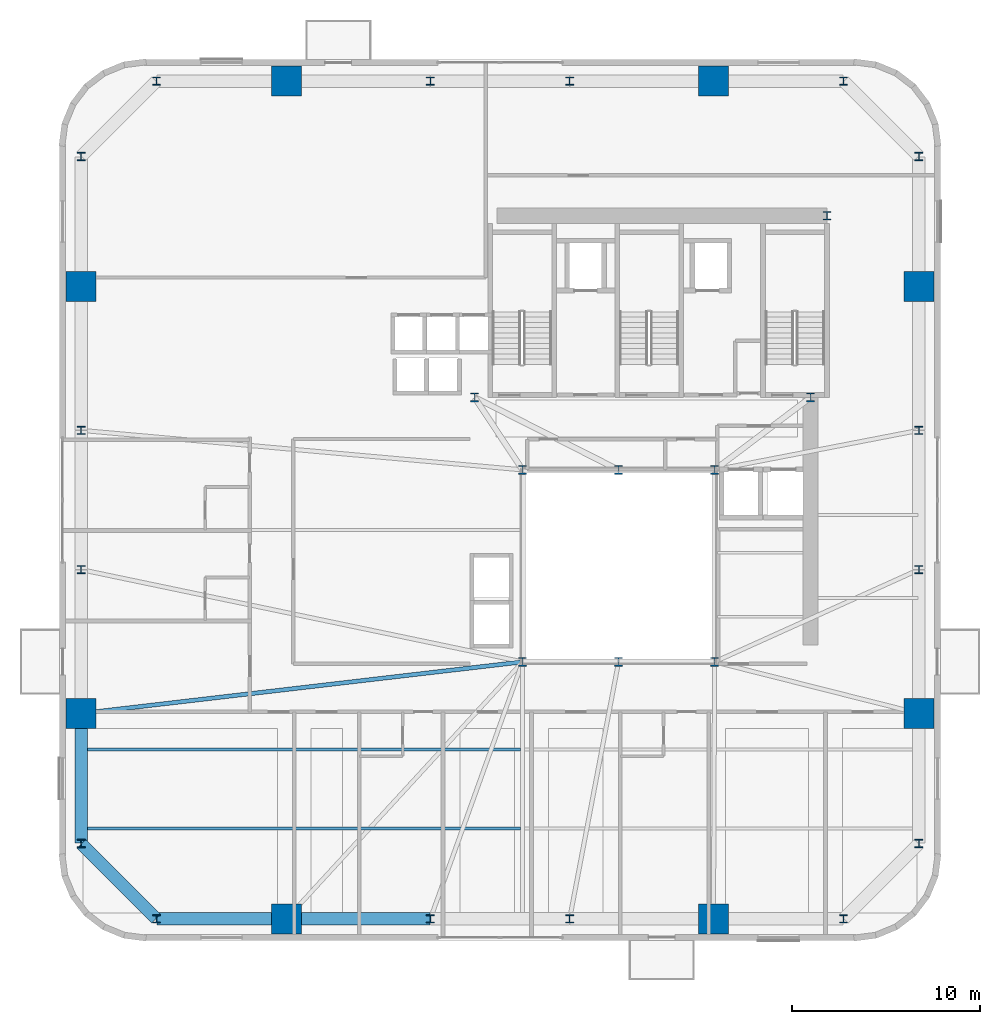
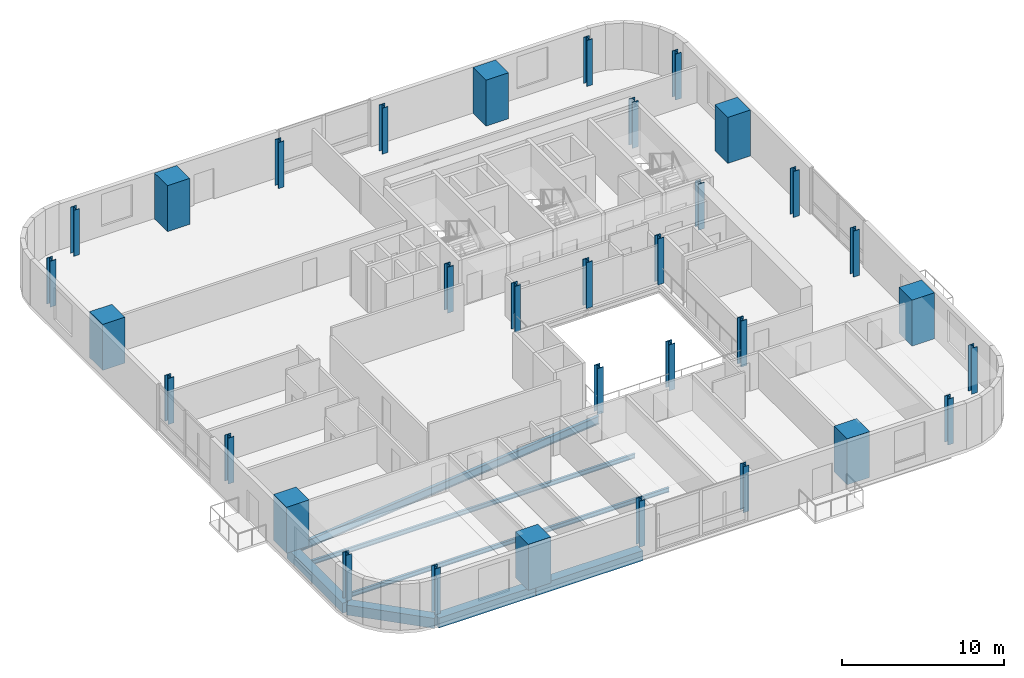
# One storey, part 1 of 14: 33 columns, 7 beams.
"""IFC4 building model written with IfcOpenShell, lengths in metres."""

from ifc_helpers import new_model, si_unit, direction, frame, origin, origin_2d, place, context, subcontext, project, spatial, rectangle, i_section, extrude, source, transform, mapped, material, material_profile, profile_set, type_object, element, save


model = new_model("IFC4")

# Units and contexts
model_context = context("Model", 3, precision=1e-05, world=origin(), true_north=direction((0.0, 1.0)))
body_context = subcontext(model_context, "Body", "Model", "MODEL_VIEW")
ifc_project = project(units=[si_unit("LENGTHUNIT", "METRE"), si_unit("AREAUNIT", "SQUARE_METRE"), si_unit("VOLUMEUNIT", "CUBIC_METRE"), si_unit("PLANEANGLEUNIT", "RADIAN"), si_unit("MASSUNIT", "GRAM", prefix="KILO")], contexts=[model_context])

# Site, building, storey
site_placement = place(None, origin())
site = spatial("IfcSite", under=ifc_project, at=site_placement, CompositionType="ELEMENT")
building_placement = place(site_placement, origin())
building = spatial("IfcBuilding", under=site, at=building_placement, Name="Vardaveli Station Tower", CompositionType="ELEMENT")
storey_placement = place(building_placement, frame((0.0, 0.0, 152.0)))
storey = spatial("IfcBuildingStorey", under=building, at=storey_placement, Name="L39", CompositionType="ELEMENT", Elevation=152.0)

# Columns
ifc_material_1 = material(Name="Structural steel S460M", Category="steel")
ifc_material_profile_1 = material_profile(ifc_material_1, i_section(OverallWidth=0.424072265625, OverallDepth=0.465087890625, WebThickness=0.034912109375, FlangeThickness=0.055908203125, FilletRadius=0.014892578125, at=origin_2d()), Name="HD 400x592")
ifc_profile_set_1 = profile_set([ifc_material_profile_1], Name="Structural steel S460M")
column_type_1 = type_object("IfcColumnType", Name="COL-HD592", PredefinedType="COLUMN", material=ifc_profile_set_1)
shared_shape_1 = source(origin(), body_context, "Body", "SweptSolid", [
    extrude(i_section(OverallWidth=0.424072265625, OverallDepth=0.465087890625, WebThickness=0.034912109375, FlangeThickness=0.055908203125, FilletRadius=0.014892578125, at=origin_2d()), origin(), (0.0, 0.0, 1.0), 3.4599609375),
])
for number, where, z_axis, x_axis, name in (
    (1, (31.199951171875, 16.60009765625, 0.0), (0.0, 0.0, 1.0), (1.0, 0.0, 0.0), "COL-L39-AC1"),
    (2, (36.300048828125, 16.60009765625, 0.0), (0.0, 0.0, 1.0), (1.0, 0.0, 0.0), "COL-L39-AC2"),
    (3, (41.39990234375, 16.60009765625, 0.0), (0.0, 0.0, 1.0), (1.0, 0.0, 0.0), "COL-L39-AC3"),
    (4, (41.39990234375, 26.800048828125, 0.0), (0.0, 0.0, 1.0), (1.0, 0.0, 0.0), "COL-L39-AC4"),
    (5, (36.300048828125, 26.800048828125, 0.0), (0.0, 0.0, 1.0), (1.0, 0.0, 0.0), "COL-L39-AC5"),
    (6, (31.199951171875, 26.800048828125, 0.0), (0.0, 0.0, 1.0), (1.0, 0.0, 0.0), "COL-L39-AC6"),
    (7, (28.64990234375, 30.64990234375, 0.0), (0.0, 0.0, 1.0), (1.0, 0.0, 0.0), "COL-L39-CC1"),
    (8, (46.5, 30.64990234375, 0.0), (0.0, 0.0, 1.0), (1.0, 0.0, 0.0), "COL-L39-CC2"),
    (9, (47.3701171875, 40.300048828125, 0.0), (0.0, 0.0, 1.0), (1.0, 0.0, 0.0), "COL-L39-CC3"),
):
    element("IfcColumn", number, at=place(storey_placement, frame(where, z_axis=z_axis, x_axis=x_axis)), inside=storey, type_object=column_type_1, Name=name, PredefinedType="COLUMN", context=body_context, shape_type="MappedRepresentation", body=[
        mapped(shared_shape_1, transform((0.0, 0.0, 0.0), scale=1.0)),
    ])
ifc_material_2 = material(Name="Concrete C60/75", Category="concrete")
ifc_material_profile_2 = material_profile(ifc_material_2, rectangle(XDim=1.60009765625, YDim=1.60009765625, at=origin_2d()), Name="MC 1600x1600")
ifc_profile_set_2 = profile_set([ifc_material_profile_2], Name="Concrete C60/75")
column_type_2 = type_object("IfcColumnType", Name="COL-MC-1600", PredefinedType="COLUMN", material=ifc_profile_set_2)
shared_shape_2 = source(origin(), body_context, "Body", "SweptSolid", [
    extrude(rectangle(XDim=1.60009765625, YDim=1.60009765625, at=origin_2d()), origin(), (0.0, 0.0, 1.0), 3.4599609375),
])
for number, where, z_axis, x_axis, name in (
    (10, (18.659912109375, 2.949951171875, 0.0), (0.0, 0.0, 1.0), (1.0, 0.0, 0.0), "COL-L39-MC1"),
    (11, (41.340087890625, 2.949951171875, 0.0), (0.0, 0.0, 1.0), (1.0, 0.0, 0.0), "COL-L39-MC2"),
    (12, (52.25, 13.860107421875, 0.0), (0.0, 0.0, 1.0), (1.0, 0.0, 0.0), "COL-L39-MC3"),
    (13, (52.25, 36.5400390625, 0.0), (0.0, 0.0, 1.0), (1.0, 0.0, 0.0), "COL-L39-MC4"),
    (14, (41.340087890625, 47.449951171875, 0.0), (0.0, 0.0, 1.0), (1.0, 0.0, 0.0), "COL-L39-MC5"),
    (15, (18.659912109375, 47.449951171875, 0.0), (0.0, 0.0, 1.0), (1.0, 0.0, 0.0), "COL-L39-MC6"),
    (16, (7.75, 36.5400390625, 0.0), (0.0, 0.0, 1.0), (1.0, 0.0, 0.0), "COL-L39-MC7"),
    (17, (7.75, 13.860107421875, 0.0), (0.0, 0.0, 1.0), (1.0, 0.0, 0.0), "COL-L39-MC8"),
):
    element("IfcColumn", number, at=place(storey_placement, frame(where, z_axis=z_axis, x_axis=x_axis)), inside=storey, type_object=column_type_2, Name=name, PredefinedType="COLUMN", context=body_context, shape_type="MappedRepresentation", body=[
        mapped(shared_shape_2, transform((0.0, 0.0, 0.0), scale=1.0)),
    ])
ifc_material_profile_3 = material_profile(ifc_material_1, i_section(OverallWidth=0.4140625, OverallDepth=0.431884765625, WebThickness=0.025634765625, FlangeThickness=0.0400390625, FilletRadius=0.014892578125, at=origin_2d()), Name="HD 400x421")
ifc_profile_set_3 = profile_set([ifc_material_profile_3], Name="Structural steel S460M")
column_type_3 = type_object("IfcColumnType", Name="COL-HD421", PredefinedType="COLUMN", material=ifc_profile_set_3)
shared_shape_3 = source(origin(), body_context, "Body", "SweptSolid", [
    extrude(i_section(OverallWidth=0.4140625, OverallDepth=0.431884765625, WebThickness=0.025634765625, FlangeThickness=0.0400390625, FilletRadius=0.014892578125, at=origin_2d()), origin(), (0.0, 0.0, 1.0), 3.4599609375),
])
for number, where, z_axis, x_axis, name in (
    (18, (11.75, 2.949951171875, 0.0), (0.0, 0.0, 1.0), (1.0, 0.0, 0.0), "COL-L39-PC01"),
    (19, (26.300048828125, 2.949951171875, 0.0), (0.0, 0.0, 1.0), (1.0, 0.0, 0.0), "COL-L39-PC02"),
    (20, (33.699951171875, 2.949951171875, 0.0), (0.0, 0.0, 1.0), (1.0, 0.0, 0.0), "COL-L39-PC03"),
    (21, (48.25, 2.949951171875, 0.0), (0.0, 0.0, 1.0), (1.0, 0.0, 0.0), "COL-L39-PC04"),
    (22, (52.25, 6.949951171875, 0.0), (0.0, 0.0, 1.0), (1.0, 0.0, 0.0), "COL-L39-PC05"),
    (23, (52.25, 21.5, 0.0), (0.0, 0.0, 1.0), (1.0, 0.0, 0.0), "COL-L39-PC06"),
    (24, (52.25, 28.89990234375, 0.0), (0.0, 0.0, 1.0), (1.0, 0.0, 0.0), "COL-L39-PC07"),
    (25, (52.25, 43.449951171875, 0.0), (0.0, 0.0, 1.0), (1.0, 0.0, 0.0), "COL-L39-PC08"),
    (26, (48.25, 47.449951171875, 0.0), (0.0, 0.0, 1.0), (1.0, 0.0, 0.0), "COL-L39-PC09"),
    (27, (33.699951171875, 47.449951171875, 0.0), (0.0, 0.0, 1.0), (1.0, 0.0, 0.0), "COL-L39-PC10"),
    (28, (26.300048828125, 47.449951171875, 0.0), (0.0, 0.0, 1.0), (1.0, 0.0, 0.0), "COL-L39-PC11"),
    (29, (11.75, 47.449951171875, 0.0), (0.0, 0.0, 1.0), (1.0, 0.0, 0.0), "COL-L39-PC12"),
    (30, (7.75, 43.449951171875, 0.0), (0.0, 0.0, 1.0), (1.0, 0.0, 0.0), "COL-L39-PC13"),
    (31, (7.75, 28.89990234375, 0.0), (0.0, 0.0, 1.0), (1.0, 0.0, 0.0), "COL-L39-PC14"),
    (32, (7.75, 21.5, 0.0), (0.0, 0.0, 1.0), (1.0, 0.0, 0.0), "COL-L39-PC15"),
    (33, (7.75, 6.949951171875, 0.0), (0.0, 0.0, 1.0), (1.0, 0.0, 0.0), "COL-L39-PC16"),
):
    element("IfcColumn", number, at=place(storey_placement, frame(where, z_axis=z_axis, x_axis=x_axis)), inside=storey, type_object=column_type_3, Name=name, PredefinedType="COLUMN", context=body_context, shape_type="MappedRepresentation", body=[
        mapped(shared_shape_3, transform((0.0, 0.0, 0.0), scale=1.0)),
    ])

# Beams
ifc_material_3 = material(Name="Precast concrete C45/55", Category="concrete")
ifc_material_profile_4 = material_profile(ifc_material_3, rectangle(XDim=0.64990234375, YDim=0.75, at=origin_2d()), Name="LPB 650x750")
ifc_profile_set_4 = profile_set([ifc_material_profile_4], Name="Precast concrete C45/55")
beam_type_1 = type_object("IfcBeamType", Name="BM-LPB-750", PredefinedType="BEAM", material=ifc_profile_set_4)
shared_shape_4 = source(origin(), body_context, "Body", "SweptSolid", [
    extrude(rectangle(XDim=0.64990234375, YDim=0.75, at=origin_2d()), origin(), (0.0, 0.0, 1.0), 7.60009765625),
])
beam_1_placement = place(storey_placement, frame((18.679931640625, 2.949951171875, -0.614990234375), z_axis=(1.0, 0.0, 0.0), x_axis=(0.0, 1.0, 0.0)))
element("IfcBeam", 34, at=beam_1_placement, inside=storey, type_object=beam_type_1, Name="RBM-L39-01", PredefinedType="BEAM", context=body_context, shape_type="MappedRepresentation", body=[
    mapped(shared_shape_4, transform((0.0, 0.0, 0.0), scale=1.0)),
])
shared_shape_5 = source(origin(), body_context, "Body", "SweptSolid", [
    extrude(rectangle(XDim=0.64990234375, YDim=0.75, at=origin_2d()), origin(), (0.0, 0.0, 1.0), 6.869873046875),
])
beam_2_placement = place(storey_placement, frame((11.77001953125, 2.949951171875, -0.614990234375), z_axis=(1.0, 0.0, 0.0), x_axis=(0.0, 1.0, 0.0)))
element("IfcBeam", 35, at=beam_2_placement, inside=storey, type_object=beam_type_1, Name="RBM-L39-24", PredefinedType="BEAM", context=body_context, shape_type="MappedRepresentation", body=[
    mapped(shared_shape_5, transform((0.0, 0.0, 0.0), scale=1.0)),
])
shared_shape_6 = source(origin(), body_context, "Body", "SweptSolid", [
    extrude(rectangle(XDim=0.64990234375, YDim=0.75, at=origin_2d()), origin(), (0.0, 0.0, 1.0), 5.61669921875),
])
beam_3_placement = place(storey_placement, frame((7.76416015625, 6.935791015625, -0.614990234375), z_axis=(0.707106781187, -0.707106781187, 0.0), x_axis=(0.707106781187, 0.707106781187, 0.0)))
element("IfcBeam", 36, at=beam_3_placement, inside=storey, type_object=beam_type_1, Name="RBM-L39-23", PredefinedType="BEAM", context=body_context, shape_type="MappedRepresentation", body=[
    mapped(shared_shape_6, transform((0.0, 0.0, 0.0), scale=1.0)),
])
shared_shape_7 = source(origin(), body_context, "Body", "SweptSolid", [
    extrude(rectangle(XDim=0.64990234375, YDim=0.75, at=origin_2d()), origin(), (0.0, 0.0, 1.0), 6.8701171875),
])
beam_4_placement = place(storey_placement, frame((7.75, 13.840087890625, -0.614990234375), z_axis=(0.0, -1.0, 0.0), x_axis=(1.0, 0.0, 0.0)))
element("IfcBeam", 37, at=beam_4_placement, inside=storey, type_object=beam_type_1, Name="RBM-L39-22", PredefinedType="BEAM", context=body_context, shape_type="MappedRepresentation", body=[
    mapped(shared_shape_7, transform((0.0, 0.0, 0.0), scale=1.0)),
])
ifc_material_4 = material(Name="Structural steel S355J2", Category="steel")
ifc_material_profile_5 = material_profile(ifc_material_4, i_section(OverallWidth=0.159912109375, OverallDepth=0.330078125, WebThickness=0.007568359375, FlangeThickness=0.011474609375, FilletRadius=0.01806640625, at=origin_2d()), Name="IPE 330")
ifc_profile_set_5 = profile_set([ifc_material_profile_5], Name="Structural steel S355J2")
beam_type_2 = type_object("IfcBeamType", Name="BM-IPE330", PredefinedType="JOIST", material=ifc_profile_set_5)
shared_shape_8 = source(origin(), body_context, "Body", "SweptSolid", [
    extrude(i_section(OverallWidth=0.159912109375, OverallDepth=0.330078125, WebThickness=0.007568359375, FlangeThickness=0.011474609375, FilletRadius=0.01806640625, at=origin_2d()), origin(), (0.0, 0.0, 1.0), 23.2978515625),
])
for number, where, z_axis, x_axis, name in (
    (38, (7.7900390625, 7.75, -0.405029296875), (1.0, 0.0, 0.0), (0.0, 1.0, 0.0), "SJ-L39-S01"),
    (39, (7.7900390625, 11.949951171875, -0.405029296875), (1.0, 0.0, 0.0), (0.0, 1.0, 0.0), "SJ-L39-S03"),
):
    element("IfcBeam", number, at=place(storey_placement, frame(where, z_axis=z_axis, x_axis=x_axis)), inside=storey, type_object=beam_type_2, Name=name, PredefinedType="JOIST", context=body_context, shape_type="MappedRepresentation", body=[
        mapped(shared_shape_8, transform((0.0, 0.0, 0.0), scale=1.0)),
    ])
ifc_material_profile_6 = material_profile(ifc_material_4, i_section(OverallWidth=0.219970703125, OverallDepth=0.60009765625, WebThickness=0.011962890625, FlangeThickness=0.01904296875, FilletRadius=0.02392578125, at=origin_2d()), Name="IPE 600")
ifc_profile_set_6 = profile_set([ifc_material_profile_6], Name="Structural steel S355J2")
beam_type_3 = type_object("IfcBeamType", Name="BM-IPE600", PredefinedType="BEAM", material=ifc_profile_set_6)
shared_shape_9 = source(origin(), body_context, "Body", "SweptSolid", [
    extrude(i_section(OverallWidth=0.219970703125, OverallDepth=0.60009765625, WebThickness=0.011962890625, FlangeThickness=0.01904296875, FilletRadius=0.02392578125, at=origin_2d()), origin(), (0.0, 0.0, 1.0), 23.569580078125),
])
beam_5_placement = place(storey_placement, frame((7.769775390625, 13.8623046875, -0.5400390625), z_axis=(0.993242915589, 0.11605391261, 0.0), x_axis=(-0.11605391261, 0.993242915589, 0.0)))
element("IfcBeam", 40, at=beam_5_placement, inside=storey, type_object=beam_type_3, Name="GBM-L39-10", PredefinedType="BEAM", context=body_context, shape_type="MappedRepresentation", body=[
    mapped(shared_shape_9, transform((0.0, 0.0, 0.0), scale=1.0)),
])

save(model, "model.ifc")
